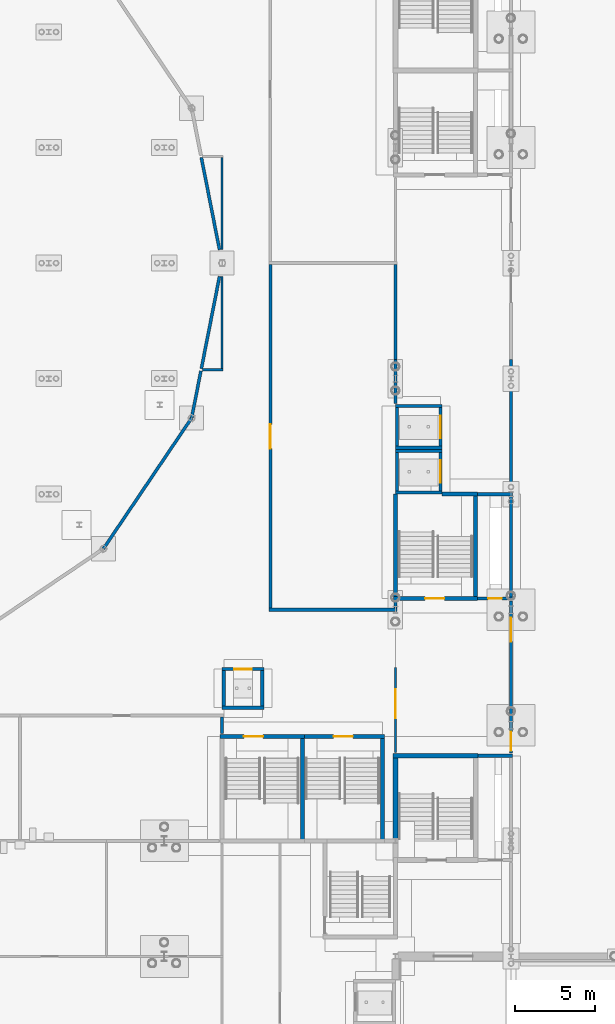
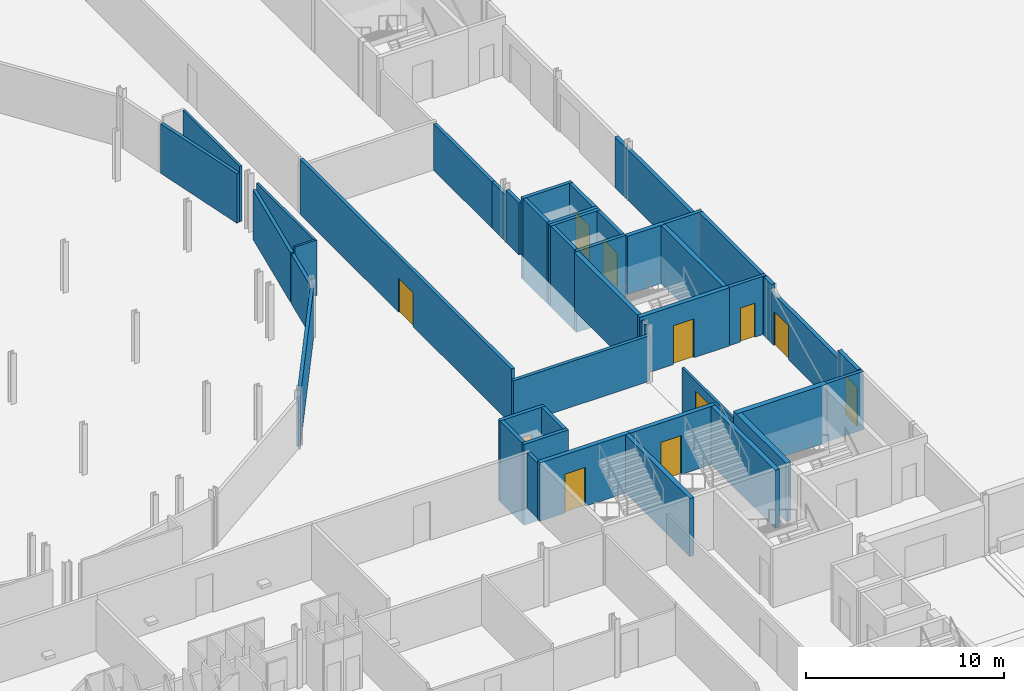
# One storey, part 83 of 148: 45 walls, 11 doors, 11 openings.
"""IFC4 building model written with IfcOpenShell, lengths in metres."""

from ifc_helpers import new_model, si_unit, direction, frame, frame_2d, origin, place, context, subcontext, project, spatial, rectangle, extrude, material, layer, layer_set, type_object, element, fill, save


model = new_model("IFC4")

# Units and contexts
model_context = context("Model", 3, precision=1e-05, world=origin(), true_north=direction((0.0, 1.0)))
body_context = subcontext(model_context, "Body", "Model", "MODEL_VIEW")
ifc_project = project(units=[si_unit("LENGTHUNIT", "METRE"), si_unit("AREAUNIT", "SQUARE_METRE"), si_unit("VOLUMEUNIT", "CUBIC_METRE"), si_unit("PLANEANGLEUNIT", "RADIAN"), si_unit("MASSUNIT", "GRAM", prefix="KILO")], contexts=[model_context])

# Site, building, storey
site_placement = place(None, origin())
site = spatial("IfcSite", under=ifc_project, at=site_placement, CompositionType="ELEMENT")
building_placement = place(site_placement, origin())
building = spatial("IfcBuilding", under=site, at=building_placement, Name="Kupolbacken Congress Centre", CompositionType="ELEMENT")
storey_placement = place(building_placement, origin())
storey = spatial("IfcBuildingStorey", under=building, at=storey_placement, Name="L00", CompositionType="ELEMENT", Elevation=0.0)

# Wall, opening, door
ifc_material_1 = material(Name="Gypsum board", Category="drywall")
ifc_layer_1 = layer(ifc_material_1, 0.135009765625)
ifc_layer_set_1 = layer_set([ifc_layer_1], Name="Gypsum board")
wall_type_1 = type_object("IfcWallType", Name="P06 compartment wall 135", PredefinedType="PARTITIONING", material=ifc_layer_set_1)
wall_1_placement = place(storey_placement, frame((79.199951171875, 61.199951171875, 0.0), z_axis=(0.0, 0.0, 1.0), x_axis=(0.0, -1.0, 0.0)))
wall_1 = element("IfcWall", 1, at=wall_1_placement, inside=storey, type_object=wall_type_1, Name="PD/L00/W006", PredefinedType="PARTITIONING", context=body_context, shape_type="SweptSolid", body=[
    extrude(rectangle(XDim=5.2900390625, YDim=0.135009765625, at=frame_2d((2.64501953125, 0.0))), origin(), (0.0, 0.0, 1.0), 3.010009765625),
])
opening_1_placement = place(wall_1_placement, frame((1.35009765625, 0.0, 0.0)))
opening_1 = element("IfcOpeningElement", 2, at=opening_1_placement, cuts=wall_1, Name="Opening 0.P25", PredefinedType="OPENING", context=body_context, shape_type="SweptSolid", body=[
    extrude(rectangle(XDim=1.800048828125, YDim=2.39990234375, at=frame_2d((0.89990234375, 1.199951171875))), frame((0.0, 0.077392578125, 0.0), z_axis=(0.0, -1.0, 0.0), x_axis=(1.0, 0.0, 0.0)), (0.0, 0.0, 1.0), 0.155029296875),
])
ifc_material_2 = material(Name="Steel fire door leaf", Category="steel")
door_type_1 = type_object("IfcDoorType", Name="D15 fire door 1800x2400", OperationType="DOUBLE_DOOR_SINGLE_SWING", PredefinedType="DOOR", material=ifc_material_2)
door_1_placement = place(opening_1_placement, origin())
door_1 = element("IfcDoor", 3, at=door_1_placement, inside=storey, type_object=door_type_1, Name="PD/L00/W006/D0P25", OperationType="DOUBLE_DOOR_SINGLE_SWING", OverallHeight=2.39990234375, OverallWidth=1.800048828125, PredefinedType="DOOR", context=body_context, shape_type="SweptSolid", body=[
    extrude(rectangle(XDim=1.800048828125, YDim=2.39990234375, at=frame_2d((0.89990234375, 1.199951171875))), frame((0.0, 0.02490234375, 0.0), z_axis=(0.0, -1.0, 0.0), x_axis=(1.0, 0.0, 0.0)), (0.0, 0.0, 1.0), 0.050048828125),
])
fill(opening_1, door_1)

# Walls
wall_2_placement = place(storey_placement, frame((68.39990234375, 79.8173828125, 0.0), z_axis=(0.0, 0.0, 1.0), x_axis=(0.0, 1.0, 0.0)))
element("IfcWall", 4, at=wall_2_placement, inside=storey, type_object=wall_type_1, Name="PD/L00/W111", PredefinedType="PARTITIONING", context=body_context, shape_type="SweptSolid", body=[
    extrude(rectangle(XDim=5.732666015625, YDim=0.135009765625, at=frame_2d((2.8662109375, 0.0))), origin(), (0.0, 0.0, 1.0), 3.419921875),
])
wall_3_placement = place(storey_placement, frame((68.39990234375, 87.25, 0.0), z_axis=(0.0, 0.0, 1.0), x_axis=(0.0, 1.0, 0.0)))
element("IfcWall", 5, at=wall_3_placement, inside=storey, type_object=wall_type_1, Name="PD/L00/W112", PredefinedType="PARTITIONING", context=body_context, shape_type="SweptSolid", body=[
    extrude(rectangle(XDim=5.732421875, YDim=0.135009765625, at=frame_2d((2.8662109375, 0.0))), origin(), (0.0, 0.0, 1.0), 3.419921875),
])
wall_4_placement = place(storey_placement, frame((67.185791015625, 79.75, 0.0), z_axis=(0.0, 0.0, 1.0), x_axis=(1.0, 0.0, 0.0)))
element("IfcWall", 6, at=wall_4_placement, inside=storey, type_object=wall_type_1, Name="PD/L00/W118", PredefinedType="PARTITIONING", context=body_context, shape_type="SweptSolid", body=[
    extrude(rectangle(XDim=1.28173828125, YDim=0.135009765625, at=frame_2d((0.640869140625, 0.0))), origin(), (0.0, 0.0, 1.0), 3.419921875),
])
ifc_material_3 = material(Name="Gypsum board", Category="drywall")
ifc_layer_2 = layer(ifc_material_3, 0.18994140625)
ifc_layer_set_2 = layer_set([ifc_layer_2], Name="Gypsum board")
wall_type_2 = type_object("IfcWallType", Name="P10 partition 190", PredefinedType="PARTITIONING", material=ifc_layer_set_2)
wall_5_placement = place(storey_placement, frame((68.39990234375, 57.0849609375, 0.0), z_axis=(0.0, 0.0, 1.0), x_axis=(0.0, 1.0, 0.0)))
element("IfcWall", 7, at=wall_5_placement, inside=storey, type_object=wall_type_2, Name="PD/L00/W007", PredefinedType="PARTITIONING", context=body_context, shape_type="SweptSolid", body=[
    extrude(rectangle(XDim=1.02001953125, YDim=0.18994140625, at=frame_2d((0.510009765625, 0.0))), origin(), (0.0, 0.0, 1.0), 3.419921875),
])
wall_6_placement = place(storey_placement, frame((79.199951171875, 65.31494140625, 0.0), z_axis=(0.0, 0.0, 1.0), x_axis=(0.0, -1.0, 0.0)))
element("IfcWall", 8, at=wall_6_placement, inside=storey, type_object=wall_type_2, Name="PD/L00/W013", PredefinedType="PARTITIONING", context=body_context, shape_type="SweptSolid", body=[
    extrude(rectangle(XDim=0.419921875, YDim=0.18994140625, at=frame_2d((0.2099609375, 0.0))), origin(), (0.0, 0.0, 1.0), 3.419921875),
])
wall_7_placement = place(storey_placement, frame((79.199951171875, 77.659912109375, 0.0), z_axis=(0.0, 0.0, 1.0), x_axis=(0.0, 1.0, 0.0)))
element("IfcWall", 9, at=wall_7_placement, inside=storey, type_object=wall_type_2, Name="PD/L00/W015", PredefinedType="PARTITIONING", context=body_context, shape_type="SweptSolid", body=[
    extrude(rectangle(XDim=1.315185546875, YDim=0.18994140625, at=frame_2d((0.65771484375, 0.0))), origin(), (0.0, 0.0, 1.0), 3.2099609375),
])
wall_8_placement = place(storey_placement, frame((79.199951171875, 86.304931640625, 0.0), z_axis=(0.0, 0.0, 1.0), x_axis=(0.0, -1.0, 0.0)))
element("IfcWall", 10, at=wall_8_placement, inside=storey, type_object=wall_type_2, Name="PD/L00/W017", PredefinedType="PARTITIONING", context=body_context, shape_type="SweptSolid", body=[
    extrude(rectangle(XDim=5.905029296875, YDim=0.18994140625, at=frame_2d((2.95263671875, 0.0))), origin(), (0.0, 0.0, 1.0), 2.860107421875),
])
wall_9_placement = place(storey_placement, frame((67.07763671875, 79.683837890625, 0.0), z_axis=(0.0, 0.0, 1.0), x_axis=(-0.193179069745, -0.98116351696, 0.0)))
element("IfcWall", 11, at=wall_9_placement, inside=storey, type_object=wall_type_2, Name="PD/L00/W062", PredefinedType="PARTITIONING", context=body_context, shape_type="SweptSolid", body=[
    extrude(rectangle(XDim=2.990234375, YDim=0.18994140625, at=frame_2d((1.4951171875, 0.0))), origin(), (0.0, 0.0, 1.0), 3.06005859375),
])
wall_10_placement = place(storey_placement, frame((66.5, 76.75, 0.0), z_axis=(0.0, 0.0, 1.0), x_axis=(-0.559390118145, -0.828904515443, 0.0)))
element("IfcWall", 12, at=wall_10_placement, inside=storey, type_object=wall_type_2, Name="PD/L00/W063", PredefinedType="PARTITIONING", context=body_context, shape_type="SweptSolid", body=[
    extrude(rectangle(XDim=9.83203125, YDim=0.18994140625, at=frame_2d((4.916015625, 0.0))), origin(), (0.0, 0.0, 1.0), 3.06005859375),
])
wall_11_placement = place(storey_placement, frame((68.23583984375, 85.56591796875, 0.0), z_axis=(0.0, 0.0, 1.0), x_axis=(-0.193182951231, -0.981162752735, 0.0)))
element("IfcWall", 13, at=wall_11_placement, inside=storey, type_object=wall_type_2, Name="PD/L00/W067", PredefinedType="PARTITIONING", context=body_context, shape_type="SweptSolid", body=[
    extrude(rectangle(XDim=5.860107421875, YDim=0.18994140625, at=frame_2d((2.93017578125, 0.0))), origin(), (0.0, 0.0, 1.0), 3.06005859375),
])
wall_12_placement = place(storey_placement, frame((67.103759765625, 92.98388671875, 0.0), z_axis=(0.0, 0.0, 1.0), x_axis=(0.193175054921, -0.981164307421, 0.0)))
element("IfcWall", 14, at=wall_12_placement, inside=storey, type_object=wall_type_2, Name="PD/L00/W078", PredefinedType="PARTITIONING", context=body_context, shape_type="SweptSolid", body=[
    extrude(rectangle(XDim=5.8603515625, YDim=0.18994140625, at=frame_2d((2.93017578125, 0.0))), origin(), (0.0, 0.0, 1.0), 3.06005859375),
])
wall_13_placement = place(storey_placement, frame((79.294921875, 64.800048828125, 0.0), z_axis=(0.0, 0.0, 1.0), x_axis=(-1.0, 0.0, 0.0)))
element("IfcWall", 15, at=wall_13_placement, inside=storey, type_object=wall_type_2, Name="PD/L00/W093", PredefinedType="PARTITIONING", context=body_context, shape_type="SweptSolid", body=[
    extrude(rectangle(XDim=7.989990234375, YDim=0.18994140625, at=frame_2d((3.9951171875, 0.0))), origin(), (0.0, 0.0, 1.0), 2.81005859375),
])

# Wall, opening, door
wall_14_placement = place(storey_placement, frame((71.39990234375, 64.89501953125, 0.0), z_axis=(0.0, 0.0, 1.0), x_axis=(0.0, 1.0, 0.0)))
wall_14 = element("IfcWall", 16, at=wall_14_placement, inside=storey, type_object=wall_type_2, Name="PD/L00/W094", PredefinedType="PARTITIONING", context=body_context, shape_type="SweptSolid", body=[
    extrude(rectangle(XDim=21.409912109375, YDim=0.18994140625, at=frame_2d((10.705078125, 0.0))), origin(), (0.0, 0.0, 1.0), 3.419921875),
])
opening_2_placement = place(wall_14_placement, frame((9.949951171875, 0.0, 0.0)))
opening_2 = element("IfcOpeningElement", 17, at=opening_2_placement, cuts=wall_14, Name="Opening 0.P17", PredefinedType="OPENING", context=body_context, shape_type="SweptSolid", body=[
    extrude(rectangle(XDim=1.5, YDim=2.10009765625, at=frame_2d((0.75, 1.050048828125))), frame((0.0, 0.10498046875, 0.0), z_axis=(0.0, -1.0, 0.0), x_axis=(1.0, 0.0, 0.0)), (0.0, 0.0, 1.0), 0.2099609375),
])
ifc_material_4 = material(Name="Steel fire door leaf", Category="steel")
door_type_2 = type_object("IfcDoorType", Name="D12 fire door 1500x2100", OperationType="DOUBLE_DOOR_SINGLE_SWING", PredefinedType="DOOR", material=ifc_material_4)
door_2_placement = place(opening_2_placement, frame((1.5, 0.0, 0.0), z_axis=(0.0, 0.0, 1.0), x_axis=(-1.0, 0.0, 0.0)))
door_2 = element("IfcDoor", 18, at=door_2_placement, inside=storey, type_object=door_type_2, Name="PD/L00/W094/D0P17", OperationType="DOUBLE_DOOR_SINGLE_SWING", OverallHeight=2.10009765625, OverallWidth=1.5, PredefinedType="DOOR", context=body_context, shape_type="SweptSolid", body=[
    extrude(rectangle(XDim=1.5, YDim=2.10009765625, at=frame_2d((0.75, 1.050048828125))), frame((0.0, 0.02490234375, 0.0), z_axis=(0.0, -1.0, 0.0), x_axis=(1.0, 0.0, 0.0)), (0.0, 0.0, 1.0), 0.050048828125),
])
fill(opening_2, door_2)

# Wall
wall_15_placement = place(storey_placement, frame((79.199951171875, 78.97509765625, 0.0), z_axis=(0.0, 0.0, 1.0), x_axis=(0.0, 1.0, 0.0)))
element("IfcWall", 19, at=wall_15_placement, inside=storey, type_object=wall_type_2, Name="PD/L00/W015.h1", PredefinedType="PARTITIONING", context=body_context, shape_type="SweptSolid", body=[
    extrude(rectangle(XDim=1.4248046875, YDim=0.18994140625, at=frame_2d((0.71240234375, 0.0))), origin(), (0.0, 0.0, 1.0), 2.860107421875),
])

# Wall, opening, door
ifc_material_5 = material(Name="Dense concrete block", Category="masonry")
ifc_layer_3 = layer(ifc_material_5, 0.215087890625)
ifc_layer_set_3 = layer_set([ifc_layer_3], Name="Dense concrete block")
wall_type_3 = type_object("IfcWallType", Name="P15 partition 215", PredefinedType="PARTITIONING", material=ifc_layer_set_3)
wall_16_placement = place(storey_placement, frame((86.39990234375, 55.860107421875, 0.0), z_axis=(0.0, 0.0, 1.0), x_axis=(0.0, 1.0, 0.0)))
wall_16 = element("IfcWall", 20, at=wall_16_placement, inside=storey, type_object=wall_type_3, Name="PD/L00/W014", PredefinedType="PARTITIONING", context=body_context, shape_type="SweptSolid", body=[
    extrude(rectangle(XDim=1.98486328125, YDim=0.215087890625, at=frame_2d((0.992431640625, 0.0))), origin(), (0.0, 0.0, 1.0), 3.60009765625),
])
opening_3_placement = place(wall_16_placement, frame((0.14990234375, 0.0, 0.0)))
opening_3 = element("IfcOpeningElement", 21, at=opening_3_placement, cuts=wall_16, Name="Opening 0.H05", PredefinedType="OPENING", context=body_context, shape_type="SweptSolid", body=[
    extrude(rectangle(XDim=1.199951171875, YDim=2.39990234375, at=frame_2d((0.60009765625, 1.199951171875))), frame((0.0, 0.117431640625, 0.0), z_axis=(0.0, -1.0, 0.0), x_axis=(1.0, 0.0, 0.0)), (0.0, 0.0, 1.0), 0.235107421875),
])
ifc_material_6 = material(Name="Steel fire door leaf", Category="steel")
door_type_3 = type_object("IfcDoorType", Name="D9 fire door 1200x2400", OperationType="SINGLE_SWING_LEFT", PredefinedType="DOOR", material=ifc_material_6)
door_3_placement = place(opening_3_placement, origin())
door_3 = element("IfcDoor", 22, at=door_3_placement, inside=storey, type_object=door_type_3, Name="PD/L00/W014/D0H05", OperationType="SINGLE_SWING_RIGHT", OverallHeight=2.39990234375, OverallWidth=1.199951171875, PredefinedType="DOOR", context=body_context, shape_type="SweptSolid", body=[
    extrude(rectangle(XDim=1.199951171875, YDim=2.39990234375, at=frame_2d((0.60009765625, 1.199951171875))), frame((0.0, 0.02490234375, 0.0), z_axis=(0.0, -1.0, 0.0), x_axis=(1.0, 0.0, 0.0)), (0.0, 0.0, 1.0), 0.050048828125),
])
fill(opening_3, door_3)

# Wall
wall_17_placement = place(storey_placement, frame((86.39990234375, 80.39990234375, 0.0), z_axis=(0.0, 0.0, 1.0), x_axis=(0.0, -1.0, 0.0)))
element("IfcWall", 23, at=wall_17_placement, inside=storey, type_object=wall_type_3, Name="PD/L00/W016", PredefinedType="PARTITIONING", context=body_context, shape_type="SweptSolid", body=[
    extrude(rectangle(XDim=8.239990234375, YDim=0.215087890625, at=frame_2d((4.1201171875, 0.0))), origin(), (0.0, 0.0, 1.0), 3.1201171875),
])

# Wall, opening, door
wall_18_placement = place(storey_placement, frame((86.39990234375, 57.844970703125, 0.0), z_axis=(0.0, 0.0, 1.0), x_axis=(0.0, 1.0, 0.0)))
wall_18 = element("IfcWall", 24, at=wall_18_placement, inside=storey, type_object=wall_type_3, Name="PD/L00/W014.h1", PredefinedType="PARTITIONING", context=body_context, shape_type="SweptSolid", body=[
    extrude(rectangle(XDim=6.7099609375, YDim=0.215087890625, at=frame_2d((3.35498046875, 0.0))), origin(), (0.0, 0.0, 1.0), 3.1201171875),
])
opening_4_placement = place(wall_18_placement, frame((4.965087890625, 0.0, 0.0)))
opening_4 = element("IfcOpeningElement", 25, at=opening_4_placement, cuts=wall_18, Name="Opening 0.H04", PredefinedType="OPENING", context=body_context, shape_type="SweptSolid", body=[
    extrude(rectangle(XDim=1.5, YDim=2.10009765625, at=frame_2d((0.75, 1.050048828125))), frame((0.0, 0.117431640625, 0.0), z_axis=(0.0, -1.0, 0.0), x_axis=(1.0, 0.0, 0.0)), (0.0, 0.0, 1.0), 0.235107421875),
])
door_4_placement = place(opening_4_placement, origin())
door_4 = element("IfcDoor", 26, at=door_4_placement, inside=storey, type_object=door_type_2, Name="PD/L00/W014/D0H04", OperationType="DOUBLE_DOOR_SINGLE_SWING", OverallHeight=2.10009765625, OverallWidth=1.5, PredefinedType="DOOR", context=body_context, shape_type="SweptSolid", body=[
    extrude(rectangle(XDim=1.5, YDim=2.10009765625, at=frame_2d((0.75, 1.050048828125))), frame((0.0, 0.02490234375, 0.0), z_axis=(0.0, -1.0, 0.0), x_axis=(1.0, 0.0, 0.0)), (0.0, 0.0, 1.0), 0.050048828125),
])
fill(opening_4, door_4)

# Walls
wall_19_placement = place(storey_placement, frame((86.39990234375, 64.554931640625, 0.0), z_axis=(0.0, 0.0, 1.0), x_axis=(0.0, 1.0, 0.0)))
element("IfcWall", 27, at=wall_19_placement, inside=storey, type_object=wall_type_3, Name="PD/L00/W014.h2", PredefinedType="PARTITIONING", context=body_context, shape_type="SweptSolid", body=[
    extrude(rectangle(XDim=0.78515625, YDim=0.215087890625, at=frame_2d((0.392578125, 0.0))), origin(), (0.0, 0.0, 1.0), 3.60009765625),
])
ifc_material_7 = material(Name="Concrete C40/50", Category="concrete")
ifc_layer_4 = layer(ifc_material_7, 0.199951171875)
ifc_layer_set_4 = layer_set([ifc_layer_4], Name="Concrete C40/50")
wall_type_4 = type_object("IfcWallType", Name="WC1 RC shaft wall 200", PredefinedType="SHEAR", material=ifc_layer_set_4)
wall_20_placement = place(storey_placement, frame((86.5, 55.699951171875, 0.0), z_axis=(0.0, 0.0, 1.0), x_axis=(-1.0, 0.0, 0.0)))
element("IfcWall", 28, at=wall_20_placement, inside=storey, type_object=wall_type_4, Name="Shaft wall L00-039", PredefinedType="SHEAR", context=body_context, shape_type="SweptSolid", body=[
    extrude(rectangle(XDim=2.14990234375, YDim=0.199951171875, at=frame_2d((1.074951171875, 0.0))), origin(), (0.0, 0.0, 1.0), 3.60009765625),
])

# Wall, opening, door
wall_21_placement = place(storey_placement, frame((84.324951171875, 65.5, 0.0), z_axis=(0.0, 0.0, 1.0), x_axis=(1.0, 0.0, 0.0)))
wall_21 = element("IfcWall", 29, at=wall_21_placement, inside=storey, type_object=wall_type_4, Name="Shaft wall L00-046", PredefinedType="SHEAR", context=body_context, shape_type="SweptSolid", body=[
    extrude(rectangle(XDim=2.175048828125, YDim=0.199951171875, at=frame_2d((1.08740234375, 0.0))), origin(), (0.0, 0.0, 1.0), 3.60009765625),
])
opening_5_placement = place(wall_21_placement, frame((0.64990234375, 0.0, 0.0)))
opening_5 = element("IfcOpeningElement", 30, at=opening_5_placement, cuts=wall_21, Name="Opening 0.L07", PredefinedType="OPENING", context=body_context, shape_type="SweptSolid", body=[
    extrude(rectangle(XDim=0.85009765625, YDim=2.10009765625, at=frame_2d((0.425048828125, 1.050048828125))), frame((0.0, 0.10986328125, 0.0), z_axis=(0.0, -1.0, 0.0), x_axis=(1.0, 0.0, 0.0)), (0.0, 0.0, 1.0), 0.219970703125),
])
ifc_material_8 = material(Name="Steel fire door leaf", Category="steel")
door_type_4 = type_object("IfcDoorType", Name="D3 fire door 850x2100", OperationType="SINGLE_SWING_LEFT", PredefinedType="DOOR", material=ifc_material_8)
door_5_placement = place(opening_5_placement, origin())
door_5 = element("IfcDoor", 31, at=door_5_placement, inside=storey, type_object=door_type_4, Name="S/core/L00/046/D0L07", OperationType="SINGLE_SWING_LEFT", OverallHeight=2.10009765625, OverallWidth=0.85009765625, PredefinedType="DOOR", context=body_context, shape_type="SweptSolid", body=[
    extrude(rectangle(XDim=0.85009765625, YDim=2.10009765625, at=frame_2d((0.425048828125, 1.050048828125))), frame((0.0, 0.02490234375, 0.0), z_axis=(0.0, -1.0, 0.0), x_axis=(1.0, 0.0, 0.0)), (0.0, 0.0, 1.0), 0.050048828125),
])
fill(opening_5, door_5)

# Walls
wall_22_placement = place(storey_placement, frame((86.39990234375, 65.39990234375, 0.0), z_axis=(0.0, 0.0, 1.0), x_axis=(0.0, 1.0, 0.0)))
element("IfcWall", 32, at=wall_22_placement, inside=storey, type_object=wall_type_4, Name="Shaft wall L00-048", PredefinedType="SHEAR", context=body_context, shape_type="SweptSolid", body=[
    extrude(rectangle(XDim=6.7001953125, YDim=0.199951171875, at=frame_2d((3.35009765625, 0.0))), origin(), (0.0, 0.0, 1.0), 3.60009765625),
])
wall_23_placement = place(storey_placement, frame((86.5, 72.0, 0.0), z_axis=(0.0, 0.0, 1.0), x_axis=(-1.0, 0.0, 0.0)))
element("IfcWall", 33, at=wall_23_placement, inside=storey, type_object=wall_type_4, Name="Shaft wall L00-051", PredefinedType="SHEAR", context=body_context, shape_type="SweptSolid", body=[
    extrude(rectangle(XDim=2.175048828125, YDim=0.199951171875, at=frame_2d((1.08740234375, 0.0))), origin(), (0.0, 0.0, 1.0), 3.60009765625),
])
wall_24_placement = place(storey_placement, frame((68.39990234375, 58.699951171875, -1.39990234375), z_axis=(0.0, 0.0, 1.0), x_axis=(1.0, 0.0, 0.0)))
element("IfcWall", 34, at=wall_24_placement, inside=storey, type_object=wall_type_4, Name="Shaft wall LP6", PredefinedType="SHEAR", context=body_context, shape_type="SweptSolid", body=[
    extrude(rectangle(XDim=2.60009765625, YDim=0.199951171875, at=frame_2d((1.300048828125, 0.0))), origin(), (0.0, 0.0, 1.0), 5.0),
])

# Wall, opening, door
wall_25_placement = place(storey_placement, frame((68.39990234375, 61.10009765625, -1.39990234375), z_axis=(0.0, 0.0, 1.0), x_axis=(1.0, 0.0, 0.0)))
wall_25 = element("IfcWall", 35, at=wall_25_placement, inside=storey, type_object=wall_type_4, Name="Shaft wall LP6", PredefinedType="SHEAR", context=body_context, shape_type="SweptSolid", body=[
    extrude(rectangle(XDim=2.60009765625, YDim=0.199951171875, at=frame_2d((1.300048828125, 0.0))), origin(), (0.0, 0.0, 1.0), 5.0),
])
opening_6_placement = place(wall_25_placement, frame((0.75, 0.0, 1.39990234375)))
opening_6 = element("IfcOpeningElement", 36, at=opening_6_placement, cuts=wall_25, Name="Opening LD2", PredefinedType="OPENING", context=body_context, shape_type="SweptSolid", body=[
    extrude(rectangle(XDim=1.10009765625, YDim=2.10009765625, at=frame_2d((0.550048828125, 1.050048828125))), frame((0.0, 0.10986328125, 0.0), z_axis=(0.0, -1.0, 0.0), x_axis=(1.0, 0.0, 0.0)), (0.0, 0.0, 1.0), 0.219970703125),
])
ifc_material_9 = material(Name="Stainless steel door leaf", Category="steel")
door_type_5 = type_object("IfcDoorType", Name="LD2 lift landing door 1100x2100", OperationType="SLIDING_TO_LEFT", PredefinedType="DOOR", material=ifc_material_9)
door_6_placement = place(opening_6_placement, origin())
door_6 = element("IfcDoor", 37, at=door_6_placement, inside=storey, type_object=door_type_5, Name="Lift landing door LP6", OperationType="SLIDING_TO_LEFT", OverallHeight=2.10009765625, OverallWidth=1.10009765625, PredefinedType="DOOR", context=body_context, shape_type="SweptSolid", body=[
    extrude(rectangle(XDim=1.10009765625, YDim=2.10009765625, at=frame_2d((0.550048828125, 1.050048828125))), frame((0.0, 0.02490234375, 0.0), z_axis=(0.0, -1.0, 0.0), x_axis=(1.0, 0.0, 0.0)), (0.0, 0.0, 1.0), 0.050048828125),
])
fill(opening_6, door_6)

# Walls
for number, where, z_axis, x_axis, name in (
    (38, (68.5, 58.800048828125, -1.39990234375), (0.0, 0.0, 1.0), (0.0, 1.0, 0.0), "Shaft wall LP6"),
    (39, (70.89990234375, 58.800048828125, -1.39990234375), (0.0, 0.0, 1.0), (0.0, 1.0, 0.0), "Shaft wall LP6"),
):
    element("IfcWall", number, at=place(storey_placement, frame(where, z_axis=z_axis, x_axis=x_axis)), inside=storey, type_object=wall_type_4, Name=name, PredefinedType="SHEAR", context=body_context, shape_type="SweptSolid", body=[
        extrude(rectangle(XDim=2.199951171875, YDim=0.199951171875, at=frame_2d((1.10009765625, 0.0))), origin(), (0.0, 0.0, 1.0), 5.0),
    ])
for number, where, z_axis, x_axis, name in (
    (40, (79.199951171875, 72.10009765625, -1.39990234375), (0.0, 0.0, 1.0), (1.0, 0.0, 0.0), "Shaft wall LG3"),
    (41, (79.199951171875, 74.699951171875, -1.39990234375), (0.0, 0.0, 1.0), (1.0, 0.0, 0.0), "Shaft wall LG3"),
):
    element("IfcWall", number, at=place(storey_placement, frame(where, z_axis=z_axis, x_axis=x_axis)), inside=storey, type_object=wall_type_4, Name=name, PredefinedType="SHEAR", context=body_context, shape_type="SweptSolid", body=[
        extrude(rectangle(XDim=2.900146484375, YDim=0.199951171875, at=frame_2d((1.4501953125, 0.0))), origin(), (0.0, 0.0, 1.0), 5.0),
    ])
wall_26_placement = place(storey_placement, frame((79.300048828125, 72.199951171875, -1.39990234375), z_axis=(0.0, 0.0, 1.0), x_axis=(0.0, 1.0, 0.0)))
element("IfcWall", 42, at=wall_26_placement, inside=storey, type_object=wall_type_4, Name="Shaft wall LG3", PredefinedType="SHEAR", context=body_context, shape_type="SweptSolid", body=[
    extrude(rectangle(XDim=2.400146484375, YDim=0.199951171875, at=frame_2d((1.2001953125, 0.0))), origin(), (0.0, 0.0, 1.0), 5.0),
])

# Wall, opening, door
wall_27_placement = place(storey_placement, frame((82.0, 72.199951171875, -1.39990234375), z_axis=(0.0, 0.0, 1.0), x_axis=(0.0, 1.0, 0.0)))
wall_27 = element("IfcWall", 43, at=wall_27_placement, inside=storey, type_object=wall_type_4, Name="Shaft wall LG3", PredefinedType="SHEAR", context=body_context, shape_type="SweptSolid", body=[
    extrude(rectangle(XDim=2.400146484375, YDim=0.199951171875, at=frame_2d((1.2001953125, 0.0))), origin(), (0.0, 0.0, 1.0), 5.0),
])
opening_7_placement = place(wall_27_placement, frame((0.5, 0.0, 1.39990234375)))
opening_7 = element("IfcOpeningElement", 44, at=opening_7_placement, cuts=wall_27, Name="Opening LD3", PredefinedType="OPENING", context=body_context, shape_type="SweptSolid", body=[
    extrude(rectangle(XDim=1.39990234375, YDim=2.10009765625, at=frame_2d((0.699951171875, 1.050048828125))), frame((0.0, 0.10986328125, 0.0), z_axis=(0.0, -1.0, 0.0), x_axis=(1.0, 0.0, 0.0)), (0.0, 0.0, 1.0), 0.219970703125),
])
ifc_material_10 = material(Name="Stainless steel door leaf", Category="steel")
door_type_6 = type_object("IfcDoorType", Name="LD3 lift landing door 1400x2100", OperationType="SLIDING_TO_LEFT", PredefinedType="DOOR", material=ifc_material_10)
door_7_placement = place(opening_7_placement, origin())
door_7 = element("IfcDoor", 45, at=door_7_placement, inside=storey, type_object=door_type_6, Name="Lift landing door LG3", OperationType="SLIDING_TO_LEFT", OverallHeight=2.10009765625, OverallWidth=1.39990234375, PredefinedType="DOOR", context=body_context, shape_type="SweptSolid", body=[
    extrude(rectangle(XDim=1.39990234375, YDim=2.10009765625, at=frame_2d((0.699951171875, 1.050048828125))), frame((0.0, 0.02490234375, 0.0), z_axis=(0.0, -1.0, 0.0), x_axis=(1.0, 0.0, 0.0)), (0.0, 0.0, 1.0), 0.050048828125),
])
fill(opening_7, door_7)

# Walls
for number, where, z_axis, x_axis, name in (
    (46, (79.199951171875, 74.89990234375, -1.39990234375), (0.0, 0.0, 1.0), (1.0, 0.0, 0.0), "Shaft wall LG4"),
    (47, (79.199951171875, 77.5, -1.39990234375), (0.0, 0.0, 1.0), (1.0, 0.0, 0.0), "Shaft wall LG4"),
):
    element("IfcWall", number, at=place(storey_placement, frame(where, z_axis=z_axis, x_axis=x_axis)), inside=storey, type_object=wall_type_4, Name=name, PredefinedType="SHEAR", context=body_context, shape_type="SweptSolid", body=[
        extrude(rectangle(XDim=2.900146484375, YDim=0.199951171875, at=frame_2d((1.4501953125, 0.0))), origin(), (0.0, 0.0, 1.0), 5.0),
    ])
wall_28_placement = place(storey_placement, frame((79.300048828125, 75.0, -1.39990234375), z_axis=(0.0, 0.0, 1.0), x_axis=(0.0, 1.0, 0.0)))
element("IfcWall", 48, at=wall_28_placement, inside=storey, type_object=wall_type_4, Name="Shaft wall LG4", PredefinedType="SHEAR", context=body_context, shape_type="SweptSolid", body=[
    extrude(rectangle(XDim=2.39990234375, YDim=0.199951171875, at=frame_2d((1.199951171875, 0.0))), origin(), (0.0, 0.0, 1.0), 5.0),
])

# Wall, opening, door
wall_29_placement = place(storey_placement, frame((82.0, 75.0, -1.39990234375), z_axis=(0.0, 0.0, 1.0), x_axis=(0.0, 1.0, 0.0)))
wall_29 = element("IfcWall", 49, at=wall_29_placement, inside=storey, type_object=wall_type_4, Name="Shaft wall LG4", PredefinedType="SHEAR", context=body_context, shape_type="SweptSolid", body=[
    extrude(rectangle(XDim=2.39990234375, YDim=0.199951171875, at=frame_2d((1.199951171875, 0.0))), origin(), (0.0, 0.0, 1.0), 5.0),
])
opening_8_placement = place(wall_29_placement, frame((0.5, 0.0, 1.39990234375)))
opening_8 = element("IfcOpeningElement", 50, at=opening_8_placement, cuts=wall_29, Name="Opening LD3", PredefinedType="OPENING", context=body_context, shape_type="SweptSolid", body=[
    extrude(rectangle(XDim=1.39990234375, YDim=2.10009765625, at=frame_2d((0.699951171875, 1.050048828125))), frame((0.0, 0.10986328125, 0.0), z_axis=(0.0, -1.0, 0.0), x_axis=(1.0, 0.0, 0.0)), (0.0, 0.0, 1.0), 0.219970703125),
])
door_8_placement = place(opening_8_placement, origin())
door_8 = element("IfcDoor", 51, at=door_8_placement, inside=storey, type_object=door_type_6, Name="Lift landing door LG4", OperationType="SLIDING_TO_LEFT", OverallHeight=2.10009765625, OverallWidth=1.39990234375, PredefinedType="DOOR", context=body_context, shape_type="SweptSolid", body=[
    extrude(rectangle(XDim=1.39990234375, YDim=2.10009765625, at=frame_2d((0.699951171875, 1.050048828125))), frame((0.0, 0.02490234375, 0.0), z_axis=(0.0, -1.0, 0.0), x_axis=(1.0, 0.0, 0.0)), (0.0, 0.0, 1.0), 0.050048828125),
])
fill(opening_8, door_8)

# Walls
ifc_material_11 = material(Name="Concrete C40/50", Category="concrete")
ifc_layer_5 = layer(ifc_material_11, 0.25)
ifc_layer_set_5 = layer_set([ifc_layer_5], Name="Concrete C40/50")
wall_type_5 = type_object("IfcWallType", Name="WC2 RC stair enclosure wall 250", PredefinedType="SHEAR", material=ifc_layer_set_5)
for number, where, z_axis, x_axis, name in (
    (52, (73.39990234375, 50.27490234375, 0.0), (0.0, 0.0, 1.0), (0.0, 1.0, 0.0), "Stair enclosure wall L00-029"),
    (53, (78.39990234375, 50.27490234375, 0.0), (0.0, 0.0, 1.0), (0.0, 1.0, 0.0), "Stair enclosure wall L00-032"),
):
    element("IfcWall", number, at=place(storey_placement, frame(where, z_axis=z_axis, x_axis=x_axis)), inside=storey, type_object=wall_type_5, Name=name, PredefinedType="SHEAR", context=body_context, shape_type="SweptSolid", body=[
        extrude(rectangle(XDim=6.75, YDim=0.25, at=frame_2d((3.375, 0.0))), origin(), (0.0, 0.0, 1.0), 3.60009765625),
    ])

# Wall, opening, door
wall_30_placement = place(storey_placement, frame((73.52490234375, 56.89990234375, 0.0), z_axis=(0.0, 0.0, 1.0), x_axis=(-1.0, 0.0, 0.0)))
wall_30 = element("IfcWall", 54, at=wall_30_placement, inside=storey, type_object=wall_type_5, Name="Stair enclosure wall L00-041", PredefinedType="SHEAR", context=body_context, shape_type="SweptSolid", body=[
    extrude(rectangle(XDim=5.25, YDim=0.25, at=frame_2d((2.625, 0.0))), origin(), (0.0, 0.0, 1.0), 3.60009765625),
])
opening_9_placement = place(wall_30_placement, frame((2.574951171875, 0.0, 0.0)))
opening_9 = element("IfcOpeningElement", 55, at=opening_9_placement, cuts=wall_30, Name="Opening 0.P03", PredefinedType="OPENING", context=body_context, shape_type="SweptSolid", body=[
    extrude(rectangle(XDim=1.199951171875, YDim=2.39990234375, at=frame_2d((0.60009765625, 1.199951171875))), frame((0.0, 0.135009765625, 0.0), z_axis=(0.0, -1.0, 0.0), x_axis=(1.0, 0.0, 0.0)), (0.0, 0.0, 1.0), 0.27001953125),
])
door_9_placement = place(opening_9_placement, origin())
door_9 = element("IfcDoor", 56, at=door_9_placement, inside=storey, type_object=door_type_3, Name="S/core/L00/041/D0P03", OperationType="SINGLE_SWING_LEFT", OverallHeight=2.39990234375, OverallWidth=1.199951171875, PredefinedType="DOOR", context=body_context, shape_type="SweptSolid", body=[
    extrude(rectangle(XDim=1.199951171875, YDim=2.39990234375, at=frame_2d((0.60009765625, 1.199951171875))), frame((0.0, 0.02490234375, 0.0), z_axis=(0.0, -1.0, 0.0), x_axis=(1.0, 0.0, 0.0)), (0.0, 0.0, 1.0), 0.050048828125),
])
fill(opening_9, door_9)

wall_31_placement = place(storey_placement, frame((78.52490234375, 56.89990234375, 0.0), z_axis=(0.0, 0.0, 1.0), x_axis=(-1.0, 0.0, 0.0)))
wall_31 = element("IfcWall", 57, at=wall_31_placement, inside=storey, type_object=wall_type_5, Name="Stair enclosure wall L00-042", PredefinedType="SHEAR", context=body_context, shape_type="SweptSolid", body=[
    extrude(rectangle(XDim=5.0, YDim=0.25, at=frame_2d((2.5, 0.0))), origin(), (0.0, 0.0, 1.0), 3.60009765625),
])
opening_10_placement = place(wall_31_placement, frame((1.97509765625, 0.0, 0.0)))
opening_10 = element("IfcOpeningElement", 58, at=opening_10_placement, cuts=wall_31, Name="Opening 0.P04", PredefinedType="OPENING", context=body_context, shape_type="SweptSolid", body=[
    extrude(rectangle(XDim=1.199951171875, YDim=2.39990234375, at=frame_2d((0.60009765625, 1.199951171875))), frame((0.0, 0.135009765625, 0.0), z_axis=(0.0, -1.0, 0.0), x_axis=(1.0, 0.0, 0.0)), (0.0, 0.0, 1.0), 0.27001953125),
])
door_10_placement = place(opening_10_placement, origin())
door_10 = element("IfcDoor", 59, at=door_10_placement, inside=storey, type_object=door_type_3, Name="S/core/L00/042/D0P04", OperationType="SINGLE_SWING_RIGHT", OverallHeight=2.39990234375, OverallWidth=1.199951171875, PredefinedType="DOOR", context=body_context, shape_type="SweptSolid", body=[
    extrude(rectangle(XDim=1.199951171875, YDim=2.39990234375, at=frame_2d((0.60009765625, 1.199951171875))), frame((0.0, 0.02490234375, 0.0), z_axis=(0.0, -1.0, 0.0), x_axis=(1.0, 0.0, 0.0)), (0.0, 0.0, 1.0), 0.050048828125),
])
fill(opening_10, door_10)

wall_32_placement = place(storey_placement, frame((79.074951171875, 65.5, 0.0), z_axis=(0.0, 0.0, 1.0), x_axis=(1.0, 0.0, 0.0)))
wall_32 = element("IfcWall", 60, at=wall_32_placement, inside=storey, type_object=wall_type_5, Name="Stair enclosure wall L00-045", PredefinedType="SHEAR", context=body_context, shape_type="SweptSolid", body=[
    extrude(rectangle(XDim=5.25, YDim=0.25, at=frame_2d((2.625, 0.0))), origin(), (0.0, 0.0, 1.0), 3.60009765625),
])
opening_11_placement = place(wall_32_placement, frame((1.97509765625, 0.0, 0.0)))
opening_11 = element("IfcOpeningElement", 61, at=opening_11_placement, cuts=wall_32, Name="Opening 0.L02", PredefinedType="OPENING", context=body_context, shape_type="SweptSolid", body=[
    extrude(rectangle(XDim=1.199951171875, YDim=2.39990234375, at=frame_2d((0.60009765625, 1.199951171875))), frame((0.0, 0.135009765625, 0.0), z_axis=(0.0, -1.0, 0.0), x_axis=(1.0, 0.0, 0.0)), (0.0, 0.0, 1.0), 0.27001953125),
])
door_11_placement = place(opening_11_placement, origin())
door_11 = element("IfcDoor", 62, at=door_11_placement, inside=storey, type_object=door_type_3, Name="S/core/L00/045/D0L02", OperationType="SINGLE_SWING_RIGHT", OverallHeight=2.39990234375, OverallWidth=1.199951171875, PredefinedType="DOOR", context=body_context, shape_type="SweptSolid", body=[
    extrude(rectangle(XDim=1.199951171875, YDim=2.39990234375, at=frame_2d((0.60009765625, 1.199951171875))), frame((0.0, 0.02490234375, 0.0), z_axis=(0.0, -1.0, 0.0), x_axis=(1.0, 0.0, 0.0)), (0.0, 0.0, 1.0), 0.050048828125),
])
fill(opening_11, door_11)

# Walls
wall_33_placement = place(storey_placement, frame((84.199951171875, 65.375, 0.0), z_axis=(0.0, 0.0, 1.0), x_axis=(0.0, 1.0, 0.0)))
element("IfcWall", 63, at=wall_33_placement, inside=storey, type_object=wall_type_5, Name="Stair enclosure wall L00-047", PredefinedType="SHEAR", context=body_context, shape_type="SweptSolid", body=[
    extrude(rectangle(XDim=6.75, YDim=0.25, at=frame_2d((3.375, 0.0))), origin(), (0.0, 0.0, 1.0), 3.60009765625),
])
wall_34_placement = place(storey_placement, frame((79.199951171875, 72.0, 0.0), z_axis=(0.0, 0.0, 1.0), x_axis=(0.0, -1.0, 0.0)))
element("IfcWall", 64, at=wall_34_placement, inside=storey, type_object=wall_type_5, Name="Stair enclosure wall L00-049", PredefinedType="SHEAR", context=body_context, shape_type="SweptSolid", body=[
    extrude(rectangle(XDim=6.625, YDim=0.25, at=frame_2d((3.3125, 0.0))), origin(), (0.0, 0.0, 1.0), 3.60009765625),
])
wall_35_placement = place(storey_placement, frame((82.10009765625, 72.0, 0.0), z_axis=(0.0, 0.0, 1.0), x_axis=(1.0, 0.0, 0.0)))
element("IfcWall", 65, at=wall_35_placement, inside=storey, type_object=wall_type_5, Name="Stair enclosure wall L00-050", PredefinedType="SHEAR", context=body_context, shape_type="SweptSolid", body=[
    extrude(rectangle(XDim=2.224853515625, YDim=0.25, at=frame_2d((1.1123046875, 0.0))), origin(), (0.0, 0.0, 1.0), 3.60009765625),
])
ifc_material_12 = material(Name="Concrete C40/50", Category="concrete")
ifc_layer_6 = layer(ifc_material_12, 0.300048828125)
ifc_layer_set_6 = layer_set([ifc_layer_6], Name="Concrete C40/50")
wall_type_6 = type_object("IfcWallType", Name="WC3 RC core wall 300", PredefinedType="SHEAR", material=ifc_layer_set_6)
wall_36_placement = place(storey_placement, frame((79.199951171875, 55.85009765625, 0.0), z_axis=(0.0, 0.0, 1.0), x_axis=(0.0, -1.0, 0.0)))
element("IfcWall", 66, at=wall_36_placement, inside=storey, type_object=wall_type_6, Name="Core wall L00-037", PredefinedType="SHEAR", context=body_context, shape_type="SweptSolid", body=[
    extrude(rectangle(XDim=5.3251953125, YDim=0.300048828125, at=frame_2d((2.66259765625, 0.0))), origin(), (0.0, 0.0, 1.0), 3.60009765625),
])
wall_37_placement = place(storey_placement, frame((84.35009765625, 55.699951171875, 0.0), z_axis=(0.0, 0.0, 1.0), x_axis=(-1.0, 0.0, 0.0)))
element("IfcWall", 67, at=wall_37_placement, inside=storey, type_object=wall_type_6, Name="Core wall L00-038", PredefinedType="SHEAR", context=body_context, shape_type="SweptSolid", body=[
    extrude(rectangle(XDim=5.300048828125, YDim=0.300048828125, at=frame_2d((2.64990234375, 0.0))), origin(), (0.0, 0.0, 1.0), 3.60009765625),
])

save(model, "model.ifc")
